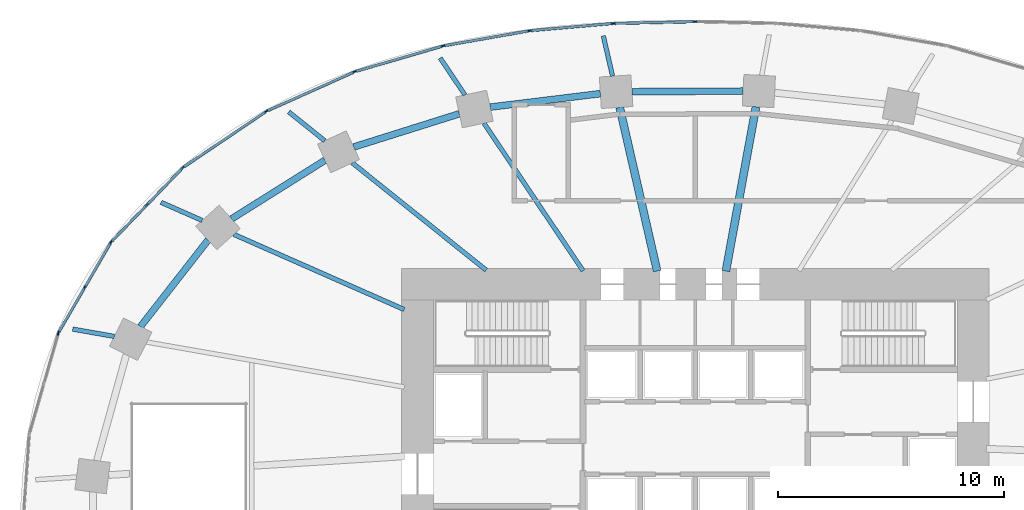
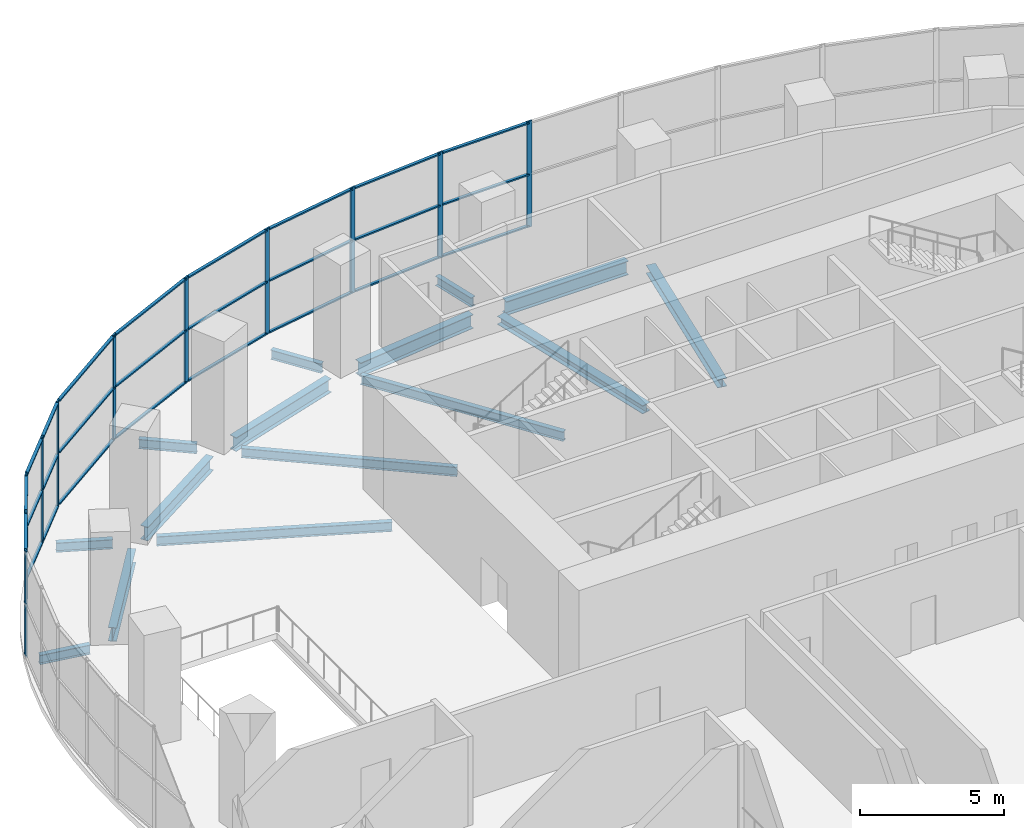
# One storey, part 7 of 17: 41 members, 15 beams, 9 elements without a shape of their own.
"""IFC4 building model written with IfcOpenShell, lengths in metres."""

import ifcopenshell
import ifcopenshell.guid

model = None  # the IFC model being written
_history = None  # IfcOwnerHistory: only IFC2X3 demands one
_inside = {}  # id of a spatial element -> (the spatial element, [elements in it])
_under = {}  # id of a project, library or spatial element -> (it, [spatial elements below it])
_declared = {}  # id of a project -> (the project, [libraries it declares])
_typed = {}  # id of a type object -> (the type object, [elements of that type])
_made_of = {}  # id of a material, layer set ... -> (it, [elements and type objects made of it])


def new_model(schema):
    """Start an empty IFC model of exactly this schema.

    Asked for "IFC4X3", IfcOpenShell would pick the latest addendum, in which some entities
    have other attributes; the version numbers below select the first issue.
    IFC2X3 requires an IfcOwnerHistory on every rooted entity: one is made here for all.
    """
    global model, _history
    if schema == "IFC4X3":
        model = ifcopenshell.file(schema_version=(4, 3, 0, 0))
    else:
        model = ifcopenshell.file(schema=schema)
    _inside.clear()
    _under.clear()
    _declared.clear()
    _typed.clear()
    _made_of.clear()
    _history = None
    if model.schema == "IFC2X3":
        org = make("IfcOrganization", Name="unknown")
        user = make(
            "IfcPersonAndOrganization",
            ThePerson=make("IfcPerson", FamilyName="unknown"),
            TheOrganization=org,
        )
        app = make(
            "IfcApplication",
            ApplicationDeveloper=org,
            Version="unknown",
            ApplicationFullName="unknown",
            ApplicationIdentifier="unknown",
        )
        _history = make(
            "IfcOwnerHistory",
            OwningUser=user,
            OwningApplication=app,
            ChangeAction="ADDED",
            CreationDate=0,
        )
    return model


def make(cls, **values):
    """One entity of the class cls with the attributes given. An attribute that is None is left unset."""
    return model.create_entity(
        cls, **{name: value for name, value in values.items() if value is not None}
    )


def rooted(cls, **values):
    """An entity with a GlobalId (a new one), such as an element, a storey or a relation."""
    return make(cls, GlobalId=ifcopenshell.guid.new(), OwnerHistory=_history, **values)


def si_unit(unit_type, name, prefix=None):
    """IfcSIUnit, for example si_unit("LENGTHUNIT", "METRE", prefix="MILLI")."""
    return make("IfcSIUnit", UnitType=unit_type, Prefix=prefix, Name=name)


def assignment(units):
    """IfcUnitAssignment: the units of a project."""
    return None if units is None else make("IfcUnitAssignment", Units=units)


def point(xyz):
    """IfcCartesianPoint."""
    return None if xyz is None else make("IfcCartesianPoint", Coordinates=xyz)


def direction(xyz):
    """IfcDirection."""
    return None if xyz is None else make("IfcDirection", DirectionRatios=xyz)


def frame(location, z_axis=None, x_axis=None):
    """IfcAxis2Placement3D, a coordinate frame: its origin and axes. An axis left out is left unset."""
    return make(
        "IfcAxis2Placement3D",
        Location=point(location),
        Axis=direction(z_axis),
        RefDirection=direction(x_axis),
    )


def frame_2d(location, x_axis=None):
    """IfcAxis2Placement2D, a coordinate frame in the plane: its origin and x axis."""
    return make(
        "IfcAxis2Placement2D", Location=point(location), RefDirection=direction(x_axis)
    )


def origin():
    """The frame at (0, 0, 0) with its axes left unset."""
    return frame((0.0, 0.0, 0.0))


def origin_2d():
    """The frame at (0, 0) in the plane with its x axis left unset."""
    return frame_2d((0.0, 0.0))


def place(relative_to, where):
    """IfcLocalPlacement: puts the frame where relative to a parent placement (None: the world)."""
    return make(
        "IfcLocalPlacement", PlacementRelTo=relative_to, RelativePlacement=where
    )


def context(
    kind, dimensions, precision=None, world=None, true_north=None, identifier=None
):
    """IfcGeometricRepresentationContext, for example the 3D "Model" context."""
    return make(
        "IfcGeometricRepresentationContext",
        ContextIdentifier=identifier,
        ContextType=kind,
        CoordinateSpaceDimension=dimensions,
        Precision=precision,
        WorldCoordinateSystem=world,
        TrueNorth=true_north,
    )


def subcontext(parent, identifier, kind, view, scale=None):
    """IfcGeometricRepresentationSubContext, for example "Body" below "Model"."""
    return make(
        "IfcGeometricRepresentationSubContext",
        ContextIdentifier=identifier,
        ContextType=kind,
        ParentContext=parent,
        TargetScale=scale,
        TargetView=view,
    )


def project(units=None, contexts=None):
    """IfcProject with its units and contexts."""
    return rooted(
        "IfcProject",
        Name="project",
        RepresentationContexts=contexts,
        UnitsInContext=assignment(units),
    )


def spatial(cls, under=None, at=None, **own):
    """A site, building, storey or space (cls), placed at a placement, below another one or the project."""
    s = rooted(cls, ObjectPlacement=at, **own)
    if under is not None:
        _under.setdefault(under.id(), (under, []))[1].append(s)
    return s


def profile(cls, at=None, kind="AREA", **sizes):
    """A parametric profile (cls). Its sizes go by their IFC names, for example OverallWidth=200.0."""
    return make(cls, ProfileType=kind, Position=at, **sizes)


def rectangle(**sizes):
    """IfcRectangleProfileDef."""
    return profile("IfcRectangleProfileDef", **sizes)


def i_section(**sizes):
    """IfcIShapeProfileDef."""
    return profile("IfcIShapeProfileDef", **sizes)


def extrude(swept, where, along, depth):
    """IfcExtrudedAreaSolid: the profile swept, set in the frame where, extruded along a direction by depth."""
    return make(
        "IfcExtrudedAreaSolid",
        SweptArea=swept,
        Position=where,
        ExtrudedDirection=direction(along),
        Depth=depth,
    )


def shape(context_of_items, identifier, shape_type, items):
    """IfcShapeRepresentation: the items that make up one representation, for example the "Body"."""
    return make(
        "IfcShapeRepresentation",
        ContextOfItems=context_of_items,
        RepresentationIdentifier=identifier,
        RepresentationType=shape_type,
        Items=items,
    )


def material(Name=None, Category=None):
    """IfcMaterial."""
    return make("IfcMaterial", Name=Name, Category=Category)


def material_profile(
    of_material, cross_section, Name=None, Category=None, Priority=None
):
    """IfcMaterialProfile: a cross section and its material."""
    return make(
        "IfcMaterialProfile",
        Name=Name,
        Material=of_material,
        Profile=cross_section,
        Priority=Priority,
        Category=Category,
    )


def profile_set(profiles, Name=None, composite=None):
    """IfcMaterialProfileSet."""
    return make(
        "IfcMaterialProfileSet",
        Name=Name,
        MaterialProfiles=profiles,
        CompositeProfile=composite,
    )


def made_of(thing, what):
    """Note that an element or type object is made of a material, layer set ...; save() writes the relation."""
    if what is not None:
        _made_of.setdefault(what.id(), (what, []))[1].append(thing)
    return thing


def type_object(cls, material=None, **own):
    """A type object (cls), such as IfcWallType, which elements share."""
    return made_of(rooted(cls, **own), material)


def element(
    cls,
    number,
    at=None,
    inside=None,
    cuts=None,
    type_object=None,
    material=None,
    context=None,
    identifier="Body",
    shape_type=None,
    held_by="IfcProductDefinitionShape",
    body=None,
    shapes=None,
    **own,
):
    """One element of the class cls, such as IfcWall. Its Tag is "e" and its number.

    at: its placement. inside: the storey or other place that contains it. cuts: it is an
    opening in that element (IfcRelVoidsElement). A single representation is given by context,
    identifier, shape_type and body (its items); several are given by shapes. held_by: the class
    of the entity that holds the representations. save() writes the other relations.
    """
    e = rooted(cls, Tag="e%d" % number, ObjectPlacement=at, **own)
    if body is not None:
        shapes = [shape(context, identifier, shape_type, body)]
    if shapes is not None:
        e.Representation = make(held_by, Representations=shapes)
    if inside is not None:
        _inside.setdefault(inside.id(), (inside, []))[1].append(e)
    if cuts is not None:
        rooted(
            "IfcRelVoidsElement", RelatingBuildingElement=cuts, RelatedOpeningElement=e
        )
    if type_object is not None:
        _typed.setdefault(type_object.id(), (type_object, []))[1].append(e)
    return made_of(e, material)


def aggregate(whole, parts):
    """IfcRelAggregates: a whole, such as a stair, and the parts it consists of."""
    return rooted("IfcRelAggregates", RelatingObject=whole, RelatedObjects=parts)


def save(model, path):
    """Write the relations noted so far, then the file.

    IfcRelAggregates (storeys below a building ...), IfcRelContainedInSpatialStructure (elements
    in a storey), IfcRelDefinesByType, IfcRelAssociatesMaterial and IfcRelDeclares: one each for
    every whole, place, type object, material and project.
    """
    for whole, parts in _under.values():
        aggregate(whole, parts)
    for where, things in _inside.values():
        rooted(
            "IfcRelContainedInSpatialStructure",
            RelatedElements=things,
            RelatingStructure=where,
        )
    for kind, things in _typed.values():
        rooted("IfcRelDefinesByType", RelatedObjects=things, RelatingType=kind)
    for what, things in _made_of.values():
        rooted("IfcRelAssociatesMaterial", RelatedObjects=things, RelatingMaterial=what)
    for by, libraries in _declared.values():
        rooted("IfcRelDeclares", RelatingContext=by, RelatedDefinitions=libraries)
    model.write(path)


model = new_model("IFC4")

# Units and contexts
model_context = context("Model", 3, precision=1e-05, world=origin(), true_north=direction((0.0, 1.0)))
body_context = subcontext(model_context, "Body", "Model", "MODEL_VIEW")
ifc_project = project(units=[si_unit("LENGTHUNIT", "METRE"), si_unit("AREAUNIT", "SQUARE_METRE"), si_unit("VOLUMEUNIT", "CUBIC_METRE"), si_unit("PLANEANGLEUNIT", "RADIAN"), si_unit("MASSUNIT", "GRAM", prefix="KILO")], contexts=[model_context])

# Site, building, storey
site_placement = place(None, origin())
site = spatial("IfcSite", under=ifc_project, at=site_placement, CompositionType="ELEMENT")
building_placement = place(site_placement, origin())
building = spatial("IfcBuilding", under=site, at=building_placement, Name="Rubra Terraces Tower", CompositionType="ELEMENT")
storey_placement = place(building_placement, frame((0.0, 0.0, 28.199951171875)))
storey = spatial("IfcBuildingStorey", under=building, at=storey_placement, Name="L04", CompositionType="ELEMENT", Elevation=28.199951171875)

# Beams
ifc_material_1 = material(Name="Steel Q355B", Category="steel")
ifc_material_profile_1 = material_profile(ifc_material_1, i_section(OverallWidth=0.199951171875, OverallDepth=0.39990234375, WebThickness=0.008056640625, FlangeThickness=0.012939453125, at=origin_2d()), Name="HN 400x200x8x13")
ifc_profile_set_1 = profile_set([ifc_material_profile_1], Name="Steel Q355B")
beam_type_1 = type_object("IfcBeamType", Name="CANTILEVER BEAM HN 400x200x8x13", PredefinedType="BEAM", material=ifc_profile_set_1)
beam_1_placement = place(storey_placement, frame((-3.6669921875, 20.514892578125, -0.449951171875), z_axis=(-0.223175715845, 0.974778231116, 0.0), x_axis=(-0.974778231116, -0.223175715845, 0.0)))
element("IfcBeam", 1, at=beam_1_placement, inside=storey, type_object=beam_type_1, Name="beam-L04-cant-07", PredefinedType="BEAM", context=body_context, shape_type="SweptSolid", body=[
    extrude(i_section(OverallWidth=0.199951171875, OverallDepth=0.39990234375, WebThickness=0.008056640625, FlangeThickness=0.012939453125, at=origin_2d()), origin(), (0.0, 0.0, 1.0), 1.832275390625),
])
beam_2_placement = place(storey_placement, frame((-10.199951171875, 19.68310546875, -0.449951171875), z_axis=(-0.557732327532, 0.830020873729, 0.0), x_axis=(-0.830020873729, -0.557732327532, 0.0)))
element("IfcBeam", 2, at=beam_2_placement, inside=storey, type_object=beam_type_1, Name="beam-L04-cant-08", PredefinedType="BEAM", context=body_context, shape_type="SweptSolid", body=[
    extrude(i_section(OverallWidth=0.199951171875, OverallDepth=0.39990234375, WebThickness=0.008056640625, FlangeThickness=0.012939453125, at=origin_2d()), origin(), (0.0, 0.0, 1.0), 1.96728515625),
])
beam_3_placement = place(storey_placement, frame((-16.408935546875, 17.654052734375, -0.449951171875), z_axis=(-0.780088162003, 0.625669608901, 0.0), x_axis=(-0.625669608901, -0.780088162003, 0.0)))
element("IfcBeam", 3, at=beam_3_placement, inside=storey, type_object=beam_type_1, Name="beam-L04-cant-09", PredefinedType="BEAM", context=body_context, shape_type="SweptSolid", body=[
    extrude(i_section(OverallWidth=0.199951171875, OverallDepth=0.39990234375, WebThickness=0.008056640625, FlangeThickness=0.012939453125, at=origin_2d()), origin(), (0.0, 0.0, 1.0), 2.0458984375),
])
beam_4_placement = place(storey_placement, frame((-21.8369140625, 14.1259765625, -0.449951171875), z_axis=(-0.914937817451, 0.403594834205, 0.0), x_axis=(-0.403594834205, -0.914937817451, 0.0)))
element("IfcBeam", 4, at=beam_4_placement, inside=storey, type_object=beam_type_1, Name="beam-L04-cant-10", PredefinedType="BEAM", context=body_context, shape_type="SweptSolid", body=[
    extrude(i_section(OverallWidth=0.199951171875, OverallDepth=0.39990234375, WebThickness=0.008056640625, FlangeThickness=0.012939453125, at=origin_2d()), origin(), (0.0, 0.0, 1.0), 1.987060546875),
])
beam_5_placement = place(storey_placement, frame((-25.722900390625, 8.991943359375, -0.449951171875), z_axis=(-0.985091859612, 0.172029149057, 0.0), x_axis=(-0.172029149057, -0.985091859612, 0.0)))
element("IfcBeam", 5, at=beam_5_placement, inside=storey, type_object=beam_type_1, Name="beam-L04-cant-11", PredefinedType="BEAM", context=body_context, shape_type="SweptSolid", body=[
    extrude(i_section(OverallWidth=0.199951171875, OverallDepth=0.39990234375, WebThickness=0.008056640625, FlangeThickness=0.012939453125, at=origin_2d()), origin(), (0.0, 0.0, 1.0), 1.871826171875),
])
ifc_material_profile_2 = material_profile(ifc_material_1, i_section(OverallWidth=0.199951171875, OverallDepth=0.39990234375, WebThickness=0.008056640625, FlangeThickness=0.012939453125, at=origin_2d()), Name="HN 400x200x8x13")
ifc_profile_set_2 = profile_set([ifc_material_profile_2], Name="Steel Q355B")
beam_type_2 = type_object("IfcBeamType", Name="FLOOR BEAM HN 400x200x8x13", PredefinedType="BEAM", material=ifc_profile_set_2)
beam_6_placement = place(storey_placement, frame((-9.360107421875, 18.43310546875, -0.449951171875), z_axis=(0.557574689395, -0.830126776912, 0.0), x_axis=(0.830126776912, 0.557574689395, 0.0)))
element("IfcBeam", 6, at=beam_6_placement, inside=storey, type_object=beam_type_2, Name="beam-L04-floor-08", PredefinedType="BEAM", context=body_context, shape_type="SweptSolid", body=[
    extrude(i_section(OverallWidth=0.199951171875, OverallDepth=0.39990234375, WebThickness=0.008056640625, FlangeThickness=0.012939453125, at=origin_2d()), origin(), (0.0, 0.0, 1.0), 7.8701171875),
])
beam_7_placement = place(storey_placement, frame((-15.18896484375, 16.676025390625, -0.449951171875), z_axis=(0.780266406942, -0.625447307291, 0.0), x_axis=(0.625447307291, 0.780266406942, 0.0)))
element("IfcBeam", 7, at=beam_7_placement, inside=storey, type_object=beam_type_2, Name="beam-L04-floor-09", PredefinedType="BEAM", context=body_context, shape_type="SweptSolid", body=[
    extrude(i_section(OverallWidth=0.199951171875, OverallDepth=0.39990234375, WebThickness=0.008056640625, FlangeThickness=0.012939453125, at=origin_2d()), origin(), (0.0, 0.0, 1.0), 7.59619140625),
])
beam_8_placement = place(storey_placement, frame((-20.43310546875, 13.508056640625, -0.449951171875), z_axis=(0.914994662209, -0.4034659442, 0.0), x_axis=(0.4034659442, 0.914994662209, 0.0)))
element("IfcBeam", 8, at=beam_8_placement, inside=storey, type_object=beam_type_2, Name="beam-L04-floor-10", PredefinedType="BEAM", context=body_context, shape_type="SweptSolid", body=[
    extrude(i_section(OverallWidth=0.199951171875, OverallDepth=0.39990234375, WebThickness=0.008056640625, FlangeThickness=0.012939453125, at=origin_2d()), origin(), (0.0, 0.0, 1.0), 8.243896484375),
])
ifc_material_profile_3 = material_profile(ifc_material_1, i_section(OverallWidth=0.35009765625, OverallDepth=0.35009765625, WebThickness=0.011962890625, FlangeThickness=0.01904296875, at=origin_2d()), Name="HW 350x350x12x19")
ifc_profile_set_3 = profile_set([ifc_material_profile_3], Name="Steel Q355B")
beam_type_3 = type_object("IfcBeamType", Name="FLOOR BEAM HW 350x350x12x19", PredefinedType="BEAM", material=ifc_profile_set_3)
beam_9_placement = place(storey_placement, frame((2.68408203125, 19.158935546875, -0.425048828125), z_axis=(-0.180186319425, -0.983632497578, 0.0), x_axis=(0.983632497578, -0.180186319425, 0.0)))
element("IfcBeam", 9, at=beam_9_placement, inside=storey, type_object=beam_type_3, Name="beam-L04-floor-06", PredefinedType="BEAM", context=body_context, shape_type="SweptSolid", body=[
    extrude(i_section(OverallWidth=0.35009765625, OverallDepth=0.35009765625, WebThickness=0.011962890625, FlangeThickness=0.01904296875, at=origin_2d()), origin(), (0.0, 0.0, 1.0), 7.39794921875),
])
beam_10_placement = place(storey_placement, frame((-3.35107421875, 19.133056640625, -0.425048828125), z_axis=(0.223209821828, -0.974770421914, 0.0), x_axis=(0.974770421914, 0.223209821828, 0.0)))
element("IfcBeam", 10, at=beam_10_placement, inside=storey, type_object=beam_type_3, Name="beam-L04-floor-07", PredefinedType="BEAM", context=body_context, shape_type="SweptSolid", body=[
    extrude(i_section(OverallWidth=0.35009765625, OverallDepth=0.35009765625, WebThickness=0.011962890625, FlangeThickness=0.01904296875, at=origin_2d()), origin(), (0.0, 0.0, 1.0), 7.437744140625),
])

# Curtain wall, member
ifc_material_2 = material(Name="Aluminium and glass", Category="aluminium")
curtain_wall_type = type_object("IfcCurtainWallType", Name="Curtain wall Podium glazing", PredefinedType="NOTDEFINED", material=ifc_material_2)
curtain_wall_1_placement = place(storey_placement, origin())
curtain_wall_1 = element("IfcCurtainWall", 11, at=curtain_wall_1_placement, inside=storey, type_object=curtain_wall_type, Name="L04 glazing bay 11", PredefinedType="NOTDEFINED")
ifc_material_3 = material(Name="Aluminium, anodised dark grey", Category="aluminium")
ifc_material_profile_4 = material_profile(ifc_material_3, rectangle(XDim=0.06005859375, YDim=0.199951171875, at=origin_2d()), Name="AL 60x200")
ifc_profile_set_4 = profile_set([ifc_material_profile_4], Name="Aluminium, anodised dark grey")
member_type_1 = type_object("IfcMemberType", Name="Podium glazing mullion 60 x 200", PredefinedType="MULLION", material=ifc_profile_set_4)
member_1_placement = place(storey_placement, frame((-0.0283203125, 22.92431640625, 0.0), z_axis=(0.0, 0.0, 1.0), x_axis=(0.021482644428, -0.999769221365, 0.0)))
member_1 = element("IfcMember", 12, at=member_1_placement, type_object=member_type_1, Name="CW1 mullion 1", PredefinedType="MULLION", context=body_context, shape_type="SweptSolid", body=[
    extrude(rectangle(XDim=0.06005859375, YDim=0.199951171875, at=origin_2d()), origin(), (0.0, 0.0, 1.0), 4.5),
])

curtain_wall_2_placement = place(storey_placement, origin())
curtain_wall_2 = element("IfcCurtainWall", 13, at=curtain_wall_2_placement, inside=storey, type_object=curtain_wall_type, Name="L04 glazing bay 12", PredefinedType="NOTDEFINED")
member_2_placement = place(storey_placement, frame((-3.6533203125, 22.8447265625, 0.0), z_axis=(0.0, 0.0, 1.0), x_axis=(0.08639804595, -0.996260697637, 0.0)))
member_2 = element("IfcMember", 14, at=member_2_placement, type_object=member_type_1, Name="CW1 mullion 1", PredefinedType="MULLION", context=body_context, shape_type="SweptSolid", body=[
    extrude(rectangle(XDim=0.06005859375, YDim=0.199951171875, at=origin_2d()), origin(), (0.0, 0.0, 1.0), 4.5),
])

curtain_wall_3_placement = place(storey_placement, origin())
curtain_wall_3 = element("IfcCurtainWall", 15, at=curtain_wall_3_placement, inside=storey, type_object=curtain_wall_type, Name="L04 glazing bay 13", PredefinedType="NOTDEFINED")
member_3_placement = place(storey_placement, frame((-7.359619140625, 22.52099609375, 0.0), z_axis=(0.0, 0.0, 1.0), x_axis=(0.172816985997, -0.984953952909, 0.0)))
member_3 = element("IfcMember", 16, at=member_3_placement, type_object=member_type_1, Name="CW1 mullion 1", PredefinedType="MULLION", context=body_context, shape_type="SweptSolid", body=[
    extrude(rectangle(XDim=0.06005859375, YDim=0.199951171875, at=origin_2d()), origin(), (0.0, 0.0, 1.0), 4.5),
])

curtain_wall_4_placement = place(storey_placement, origin())
curtain_wall_4 = element("IfcCurtainWall", 17, at=curtain_wall_4_placement, inside=storey, type_object=curtain_wall_type, Name="L04 glazing bay 14", PredefinedType="NOTDEFINED")
member_4_placement = place(storey_placement, frame((-11.180908203125, 21.84765625, 0.0), z_axis=(0.0, 0.0, 1.0), x_axis=(0.279399200229, -0.96017502931, 0.0)))
member_4 = element("IfcMember", 18, at=member_4_placement, type_object=member_type_1, Name="CW1 mullion 1", PredefinedType="MULLION", context=body_context, shape_type="SweptSolid", body=[
    extrude(rectangle(XDim=0.06005859375, YDim=0.199951171875, at=origin_2d()), origin(), (0.0, 0.0, 1.0), 4.5),
])

curtain_wall_5_placement = place(storey_placement, origin())
curtain_wall_5 = element("IfcCurtainWall", 19, at=curtain_wall_5_placement, inside=storey, type_object=curtain_wall_type, Name="L04 glazing bay 15", PredefinedType="NOTDEFINED")
member_5_placement = place(storey_placement, frame((-15.09765625, 20.704345703125, 0.0), z_axis=(0.0, 0.0, 1.0), x_axis=(0.4089624427, -0.912551215254, 0.0)))
member_5 = element("IfcMember", 20, at=member_5_placement, type_object=member_type_1, Name="CW1 mullion 1", PredefinedType="MULLION", context=body_context, shape_type="SweptSolid", body=[
    extrude(rectangle(XDim=0.06005859375, YDim=0.199951171875, at=origin_2d()), origin(), (0.0, 0.0, 1.0), 4.5),
])

curtain_wall_6_placement = place(storey_placement, origin())
curtain_wall_6 = element("IfcCurtainWall", 21, at=curtain_wall_6_placement, inside=storey, type_object=curtain_wall_type, Name="L04 glazing bay 16", PredefinedType="NOTDEFINED")
member_6_placement = place(storey_placement, frame((-19.009033203125, 18.947021484375, 0.0), z_axis=(0.0, 0.0, 1.0), x_axis=(0.55927727939, -0.828980654031, 0.0)))
member_6 = element("IfcMember", 22, at=member_6_placement, type_object=member_type_1, Name="CW1 mullion 1", PredefinedType="MULLION", context=body_context, shape_type="SweptSolid", body=[
    extrude(rectangle(XDim=0.06005859375, YDim=0.199951171875, at=origin_2d()), origin(), (0.0, 0.0, 1.0), 4.5),
])

# Curtain wall, members
curtain_wall_7_placement = place(storey_placement, origin())
curtain_wall_7 = element("IfcCurtainWall", 23, at=curtain_wall_7_placement, inside=storey, type_object=curtain_wall_type, Name="L04 glazing bay 17", PredefinedType="NOTDEFINED")
member_7_placement = place(storey_placement, frame((-22.705810546875, 16.447265625, 0.0), z_axis=(0.0, 0.0, 1.0), x_axis=(0.71982488517, -0.69415569917, 0.0)))
member_7 = element("IfcMember", 24, at=member_7_placement, type_object=member_type_1, Name="CW1 mullion 1", PredefinedType="MULLION", context=body_context, shape_type="SweptSolid", body=[
    extrude(rectangle(XDim=0.06005859375, YDim=0.199951171875, at=origin_2d()), origin(), (0.0, 0.0, 1.0), 4.5),
])
member_8_placement = place(storey_placement, frame((-24.280517578125, 14.814453125, 0.0), z_axis=(0.0, 0.0, 1.0), x_axis=(0.71982488517, -0.69415569917, 0.0)))
member_8 = element("IfcMember", 25, at=member_8_placement, type_object=member_type_1, Name="CW1 mullion 2", PredefinedType="MULLION", context=body_context, shape_type="SweptSolid", body=[
    extrude(rectangle(XDim=0.06005859375, YDim=0.199951171875, at=origin_2d()), origin(), (0.0, 0.0, 1.0), 4.5),
])

curtain_wall_8_placement = place(storey_placement, origin())
curtain_wall_8 = element("IfcCurtainWall", 26, at=curtain_wall_8_placement, inside=storey, type_object=curtain_wall_type, Name="L04 glazing bay 18", PredefinedType="NOTDEFINED")
member_9_placement = place(storey_placement, frame((-25.880126953125, 13.1484375, 0.0), z_axis=(0.0, 0.0, 1.0), x_axis=(0.864813011398, -0.502094070187, 0.0)))
member_9 = element("IfcMember", 27, at=member_9_placement, type_object=member_type_1, Name="CW1 mullion 1", PredefinedType="MULLION", context=body_context, shape_type="SweptSolid", body=[
    extrude(rectangle(XDim=0.06005859375, YDim=0.199951171875, at=origin_2d()), origin(), (0.0, 0.0, 1.0), 4.5),
])
member_10_placement = place(storey_placement, frame((-27.0341796875, 11.160888671875, 0.0), z_axis=(0.0, 0.0, 1.0), x_axis=(0.864813011398, -0.502094070187, 0.0)))
member_10 = element("IfcMember", 28, at=member_10_placement, type_object=member_type_1, Name="CW1 mullion 2", PredefinedType="MULLION", context=body_context, shape_type="SweptSolid", body=[
    extrude(rectangle(XDim=0.06005859375, YDim=0.199951171875, at=origin_2d()), origin(), (0.0, 0.0, 1.0), 4.5),
])

# Curtain wall, member
curtain_wall_9_placement = place(storey_placement, origin())
curtain_wall_9 = element("IfcCurtainWall", 29, at=curtain_wall_9_placement, inside=storey, type_object=curtain_wall_type, Name="L04 glazing bay 19", PredefinedType="NOTDEFINED")
member_11_placement = place(storey_placement, frame((-28.2041015625, 9.135498046875, 0.0), z_axis=(0.0, 0.0, 1.0), x_axis=(0.961047339404, -0.276383811798, 0.0)))
member_11 = element("IfcMember", 30, at=member_11_placement, type_object=member_type_1, Name="CW1 mullion 1", PredefinedType="MULLION", context=body_context, shape_type="SweptSolid", body=[
    extrude(rectangle(XDim=0.06005859375, YDim=0.199951171875, at=origin_2d()), origin(), (0.0, 0.0, 1.0), 4.5),
])
aggregate(curtain_wall_9, [member_11])

# Member
ifc_material_profile_5 = material_profile(ifc_material_3, rectangle(XDim=0.1201171875, YDim=0.06005859375, at=origin_2d()), Name="AL 120x60")
ifc_profile_set_5 = profile_set([ifc_material_profile_5], Name="Aluminium, anodised dark grey")
member_type_2 = type_object("IfcMemberType", Name="Podium glazing transom 120 x 60", PredefinedType="USERDEFINED", material=ifc_profile_set_5)
member_12_placement = place(storey_placement, frame((-0.058349609375, 22.923828125, 0.06005859375), z_axis=(-0.99976911273, -0.021487699509, 0.0), x_axis=(0.021487699509, -0.99976911273, 0.0)))
member_12 = element("IfcMember", 31, at=member_12_placement, type_object=member_type_2, Name="CW1 transom 1.1", ObjectType="TRANSOM", PredefinedType="USERDEFINED", context=body_context, shape_type="SweptSolid", body=[
    extrude(rectangle(XDim=0.1201171875, YDim=0.06005859375, at=origin_2d()), origin(), (0.0, 0.0, 1.0), 3.5107421875),
])

member_13_placement = place(storey_placement, frame((-0.058349609375, 22.923828125, 2.25), z_axis=(-0.99976911273, -0.021487699509, 0.0), x_axis=(0.021487699509, -0.99976911273, 0.0)))
member_13 = element("IfcMember", 32, at=member_13_placement, type_object=member_type_2, Name="CW1 transom 1.2", ObjectType="TRANSOM", PredefinedType="USERDEFINED", context=body_context, shape_type="SweptSolid", body=[
    extrude(rectangle(XDim=0.1201171875, YDim=0.06005859375, at=origin_2d()), origin(), (0.0, 0.0, 1.0), 3.5107421875),
])

member_14_placement = place(storey_placement, frame((-0.058349609375, 22.923828125, 4.43994140625), z_axis=(-0.99976911273, -0.021487699509, 0.0), x_axis=(0.021487699509, -0.99976911273, 0.0)))
member_14 = element("IfcMember", 33, at=member_14_placement, type_object=member_type_2, Name="CW1 transom 1.3", ObjectType="TRANSOM", PredefinedType="USERDEFINED", context=body_context, shape_type="SweptSolid", body=[
    extrude(rectangle(XDim=0.1201171875, YDim=0.06005859375, at=origin_2d()), origin(), (0.0, 0.0, 1.0), 3.5107421875),
])

aggregate(curtain_wall_1, [member_1, member_12, member_13, member_14])

member_15_placement = place(storey_placement, frame((-3.683349609375, 22.842041015625, 0.06005859375), z_axis=(-0.996262906738, -0.086372568895, 0.0), x_axis=(0.086372568895, -0.996262906738, 0.0)))
member_15 = element("IfcMember", 34, at=member_15_placement, type_object=member_type_2, Name="CW1 transom 1.1", ObjectType="TRANSOM", PredefinedType="USERDEFINED", context=body_context, shape_type="SweptSolid", body=[
    extrude(rectangle(XDim=0.1201171875, YDim=0.06005859375, at=origin_2d()), origin(), (0.0, 0.0, 1.0), 3.606689453125),
])

member_16_placement = place(storey_placement, frame((-3.683349609375, 22.842041015625, 2.25), z_axis=(-0.996262906738, -0.086372568895, 0.0), x_axis=(0.086372568895, -0.996262906738, 0.0)))
member_16 = element("IfcMember", 35, at=member_16_placement, type_object=member_type_2, Name="CW1 transom 1.2", ObjectType="TRANSOM", PredefinedType="USERDEFINED", context=body_context, shape_type="SweptSolid", body=[
    extrude(rectangle(XDim=0.1201171875, YDim=0.06005859375, at=origin_2d()), origin(), (0.0, 0.0, 1.0), 3.606689453125),
])

member_17_placement = place(storey_placement, frame((-3.683349609375, 22.842041015625, 4.43994140625), z_axis=(-0.996262906738, -0.086372568895, 0.0), x_axis=(0.086372568895, -0.996262906738, 0.0)))
member_17 = element("IfcMember", 36, at=member_17_placement, type_object=member_type_2, Name="CW1 transom 1.3", ObjectType="TRANSOM", PredefinedType="USERDEFINED", context=body_context, shape_type="SweptSolid", body=[
    extrude(rectangle(XDim=0.1201171875, YDim=0.06005859375, at=origin_2d()), origin(), (0.0, 0.0, 1.0), 3.606689453125),
])

aggregate(curtain_wall_2, [member_2, member_15, member_16, member_17])

member_18_placement = place(storey_placement, frame((-7.38916015625, 22.515625, 0.06005859375), z_axis=(-0.984959152546, -0.172787348539, 0.0), x_axis=(0.172787348539, -0.984959152546, 0.0)))
member_18 = element("IfcMember", 37, at=member_18_placement, type_object=member_type_2, Name="CW1 transom 1.1", ObjectType="TRANSOM", PredefinedType="USERDEFINED", context=body_context, shape_type="SweptSolid", body=[
    extrude(rectangle(XDim=0.1201171875, YDim=0.06005859375, at=origin_2d()), origin(), (0.0, 0.0, 1.0), 3.768310546875),
])

member_19_placement = place(storey_placement, frame((-7.38916015625, 22.515625, 2.25), z_axis=(-0.984959152546, -0.172787348539, 0.0), x_axis=(0.172787348539, -0.984959152546, 0.0)))
member_19 = element("IfcMember", 38, at=member_19_placement, type_object=member_type_2, Name="CW1 transom 1.2", ObjectType="TRANSOM", PredefinedType="USERDEFINED", context=body_context, shape_type="SweptSolid", body=[
    extrude(rectangle(XDim=0.1201171875, YDim=0.06005859375, at=origin_2d()), origin(), (0.0, 0.0, 1.0), 3.768310546875),
])

member_20_placement = place(storey_placement, frame((-7.38916015625, 22.515625, 4.43994140625), z_axis=(-0.984959152546, -0.172787348539, 0.0), x_axis=(0.172787348539, -0.984959152546, 0.0)))
member_20 = element("IfcMember", 39, at=member_20_placement, type_object=member_type_2, Name="CW1 transom 1.3", ObjectType="TRANSOM", PredefinedType="USERDEFINED", context=body_context, shape_type="SweptSolid", body=[
    extrude(rectangle(XDim=0.1201171875, YDim=0.06005859375, at=origin_2d()), origin(), (0.0, 0.0, 1.0), 3.768310546875),
])

aggregate(curtain_wall_3, [member_3, member_18, member_19, member_20])

member_21_placement = place(storey_placement, frame((-11.209716796875, 21.83935546875, 0.06005859375), z_axis=(-0.960164409194, -0.279435694422, 0.0), x_axis=(0.279435694422, -0.960164409194, 0.0)))
member_21 = element("IfcMember", 40, at=member_21_placement, type_object=member_type_2, Name="CW1 transom 1.1", ObjectType="TRANSOM", PredefinedType="USERDEFINED", context=body_context, shape_type="SweptSolid", body=[
    extrude(rectangle(XDim=0.1201171875, YDim=0.06005859375, at=origin_2d()), origin(), (0.0, 0.0, 1.0), 3.970947265625),
])

member_22_placement = place(storey_placement, frame((-11.209716796875, 21.83935546875, 2.25), z_axis=(-0.960164409194, -0.279435694422, 0.0), x_axis=(0.279435694422, -0.960164409194, 0.0)))
member_22 = element("IfcMember", 41, at=member_22_placement, type_object=member_type_2, Name="CW1 transom 1.2", ObjectType="TRANSOM", PredefinedType="USERDEFINED", context=body_context, shape_type="SweptSolid", body=[
    extrude(rectangle(XDim=0.1201171875, YDim=0.06005859375, at=origin_2d()), origin(), (0.0, 0.0, 1.0), 3.970947265625),
])

member_23_placement = place(storey_placement, frame((-11.209716796875, 21.83935546875, 4.43994140625), z_axis=(-0.960164409194, -0.279435694422, 0.0), x_axis=(0.279435694422, -0.960164409194, 0.0)))
member_23 = element("IfcMember", 42, at=member_23_placement, type_object=member_type_2, Name="CW1 transom 1.3", ObjectType="TRANSOM", PredefinedType="USERDEFINED", context=body_context, shape_type="SweptSolid", body=[
    extrude(rectangle(XDim=0.1201171875, YDim=0.06005859375, at=origin_2d()), origin(), (0.0, 0.0, 1.0), 3.970947265625),
])

aggregate(curtain_wall_4, [member_4, member_21, member_22, member_23])

member_24_placement = place(storey_placement, frame((-15.125, 20.692138671875, 0.06005859375), z_axis=(-0.912545396627, -0.408975426029, 0.0), x_axis=(0.408975426029, -0.912545396627, 0.0)))
member_24 = element("IfcMember", 43, at=member_24_placement, type_object=member_type_2, Name="CW1 transom 1.1", ObjectType="TRANSOM", PredefinedType="USERDEFINED", context=body_context, shape_type="SweptSolid", body=[
    extrude(rectangle(XDim=0.1201171875, YDim=0.06005859375, at=origin_2d()), origin(), (0.0, 0.0, 1.0), 4.18115234375),
])

member_25_placement = place(storey_placement, frame((-15.125, 20.692138671875, 2.25), z_axis=(-0.912545396627, -0.408975426029, 0.0), x_axis=(0.408975426029, -0.912545396627, 0.0)))
member_25 = element("IfcMember", 44, at=member_25_placement, type_object=member_type_2, Name="CW1 transom 1.2", ObjectType="TRANSOM", PredefinedType="USERDEFINED", context=body_context, shape_type="SweptSolid", body=[
    extrude(rectangle(XDim=0.1201171875, YDim=0.06005859375, at=origin_2d()), origin(), (0.0, 0.0, 1.0), 4.18115234375),
])

member_26_placement = place(storey_placement, frame((-15.125, 20.692138671875, 4.43994140625), z_axis=(-0.912545396627, -0.408975426029, 0.0), x_axis=(0.408975426029, -0.912545396627, 0.0)))
member_26 = element("IfcMember", 45, at=member_26_placement, type_object=member_type_2, Name="CW1 transom 1.3", ObjectType="TRANSOM", PredefinedType="USERDEFINED", context=body_context, shape_type="SweptSolid", body=[
    extrude(rectangle(XDim=0.1201171875, YDim=0.06005859375, at=origin_2d()), origin(), (0.0, 0.0, 1.0), 4.18115234375),
])

aggregate(curtain_wall_5, [member_5, member_24, member_25, member_26])

member_27_placement = place(storey_placement, frame((-19.033935546875, 18.93017578125, 0.06005859375), z_axis=(-0.828996039897, -0.559254473236, 0.0), x_axis=(0.559254473236, -0.828996039897, 0.0)))
member_27 = element("IfcMember", 46, at=member_27_placement, type_object=member_type_2, Name="CW1 transom 1.1", ObjectType="TRANSOM", PredefinedType="USERDEFINED", context=body_context, shape_type="SweptSolid", body=[
    extrude(rectangle(XDim=0.1201171875, YDim=0.06005859375, at=origin_2d()), origin(), (0.0, 0.0, 1.0), 4.35888671875),
])

member_28_placement = place(storey_placement, frame((-19.033935546875, 18.93017578125, 2.25), z_axis=(-0.828996039897, -0.559254473236, 0.0), x_axis=(0.559254473236, -0.828996039897, 0.0)))
member_28 = element("IfcMember", 47, at=member_28_placement, type_object=member_type_2, Name="CW1 transom 1.2", ObjectType="TRANSOM", PredefinedType="USERDEFINED", context=body_context, shape_type="SweptSolid", body=[
    extrude(rectangle(XDim=0.1201171875, YDim=0.06005859375, at=origin_2d()), origin(), (0.0, 0.0, 1.0), 4.35888671875),
])

member_29_placement = place(storey_placement, frame((-19.033935546875, 18.93017578125, 4.43994140625), z_axis=(-0.828996039897, -0.559254473236, 0.0), x_axis=(0.559254473236, -0.828996039897, 0.0)))
member_29 = element("IfcMember", 48, at=member_29_placement, type_object=member_type_2, Name="CW1 transom 1.3", ObjectType="TRANSOM", PredefinedType="USERDEFINED", context=body_context, shape_type="SweptSolid", body=[
    extrude(rectangle(XDim=0.1201171875, YDim=0.06005859375, at=origin_2d()), origin(), (0.0, 0.0, 1.0), 4.35888671875),
])

aggregate(curtain_wall_6, [member_6, member_27, member_28, member_29])

member_30_placement = place(storey_placement, frame((-22.7265625, 16.42578125, 0.06005859375), z_axis=(-0.694168299732, -0.719812733735, 0.0), x_axis=(0.719812733735, -0.694168299732, 0.0)))
member_30 = element("IfcMember", 49, at=member_30_placement, type_object=member_type_2, Name="CW1 transom 1.1", ObjectType="TRANSOM", PredefinedType="USERDEFINED", context=body_context, shape_type="SweptSolid", body=[
    extrude(rectangle(XDim=0.1201171875, YDim=0.06005859375, at=origin_2d()), origin(), (0.0, 0.0, 1.0), 2.208740234375),
])

member_31_placement = place(storey_placement, frame((-22.7265625, 16.42578125, 2.25), z_axis=(-0.694168299732, -0.719812733735, 0.0), x_axis=(0.719812733735, -0.694168299732, 0.0)))
member_31 = element("IfcMember", 50, at=member_31_placement, type_object=member_type_2, Name="CW1 transom 1.2", ObjectType="TRANSOM", PredefinedType="USERDEFINED", context=body_context, shape_type="SweptSolid", body=[
    extrude(rectangle(XDim=0.1201171875, YDim=0.06005859375, at=origin_2d()), origin(), (0.0, 0.0, 1.0), 2.208740234375),
])

member_32_placement = place(storey_placement, frame((-22.7265625, 16.42578125, 4.43994140625), z_axis=(-0.694168299732, -0.719812733735, 0.0), x_axis=(0.719812733735, -0.694168299732, 0.0)))
member_32 = element("IfcMember", 51, at=member_32_placement, type_object=member_type_2, Name="CW1 transom 1.3", ObjectType="TRANSOM", PredefinedType="USERDEFINED", context=body_context, shape_type="SweptSolid", body=[
    extrude(rectangle(XDim=0.1201171875, YDim=0.06005859375, at=origin_2d()), origin(), (0.0, 0.0, 1.0), 2.208740234375),
])

member_33_placement = place(storey_placement, frame((-24.30126953125, 14.792724609375, 0.06005859375), z_axis=(-0.694223533913, -0.719759463266, 0.0), x_axis=(0.719759463266, -0.694223533913, 0.0)))
member_33 = element("IfcMember", 52, at=member_33_placement, type_object=member_type_2, Name="CW1 transom 2.1", ObjectType="TRANSOM", PredefinedType="USERDEFINED", context=body_context, shape_type="SweptSolid", body=[
    extrude(rectangle(XDim=0.1201171875, YDim=0.06005859375, at=origin_2d()), origin(), (0.0, 0.0, 1.0), 2.20849609375),
])

member_34_placement = place(storey_placement, frame((-24.30126953125, 14.792724609375, 2.25), z_axis=(-0.694223533913, -0.719759463266, 0.0), x_axis=(0.719759463266, -0.694223533913, 0.0)))
member_34 = element("IfcMember", 53, at=member_34_placement, type_object=member_type_2, Name="CW1 transom 2.2", ObjectType="TRANSOM", PredefinedType="USERDEFINED", context=body_context, shape_type="SweptSolid", body=[
    extrude(rectangle(XDim=0.1201171875, YDim=0.06005859375, at=origin_2d()), origin(), (0.0, 0.0, 1.0), 2.20849609375),
])

member_35_placement = place(storey_placement, frame((-24.30126953125, 14.792724609375, 4.43994140625), z_axis=(-0.694223533913, -0.719759463266, 0.0), x_axis=(0.719759463266, -0.694223533913, 0.0)))
member_35 = element("IfcMember", 54, at=member_35_placement, type_object=member_type_2, Name="CW1 transom 2.3", ObjectType="TRANSOM", PredefinedType="USERDEFINED", context=body_context, shape_type="SweptSolid", body=[
    extrude(rectangle(XDim=0.1201171875, YDim=0.06005859375, at=origin_2d()), origin(), (0.0, 0.0, 1.0), 2.20849609375),
])

aggregate(curtain_wall_7, [member_7, member_8, member_30, member_31, member_32, member_33, member_34, member_35])

member_36_placement = place(storey_placement, frame((-25.895263671875, 13.122314453125, 0.06005859375), z_axis=(-0.502106569931, -0.864805754162, 0.0), x_axis=(0.864805754162, -0.502106569931, 0.0)))
member_36 = element("IfcMember", 55, at=member_36_placement, type_object=member_type_2, Name="CW1 transom 1.1", ObjectType="TRANSOM", PredefinedType="USERDEFINED", context=body_context, shape_type="SweptSolid", body=[
    extrude(rectangle(XDim=0.1201171875, YDim=0.06005859375, at=origin_2d()), origin(), (0.0, 0.0, 1.0), 2.238037109375),
])

member_37_placement = place(storey_placement, frame((-25.895263671875, 13.122314453125, 2.25), z_axis=(-0.502106569931, -0.864805754162, 0.0), x_axis=(0.864805754162, -0.502106569931, 0.0)))
member_37 = element("IfcMember", 56, at=member_37_placement, type_object=member_type_2, Name="CW1 transom 1.2", ObjectType="TRANSOM", PredefinedType="USERDEFINED", context=body_context, shape_type="SweptSolid", body=[
    extrude(rectangle(XDim=0.1201171875, YDim=0.06005859375, at=origin_2d()), origin(), (0.0, 0.0, 1.0), 2.238037109375),
])

member_38_placement = place(storey_placement, frame((-25.895263671875, 13.122314453125, 4.43994140625), z_axis=(-0.502106569931, -0.864805754162, 0.0), x_axis=(0.864805754162, -0.502106569931, 0.0)))
member_38 = element("IfcMember", 57, at=member_38_placement, type_object=member_type_2, Name="CW1 transom 1.3", ObjectType="TRANSOM", PredefinedType="USERDEFINED", context=body_context, shape_type="SweptSolid", body=[
    extrude(rectangle(XDim=0.1201171875, YDim=0.06005859375, at=origin_2d()), origin(), (0.0, 0.0, 1.0), 2.238037109375),
])

member_39_placement = place(storey_placement, frame((-27.049072265625, 11.134765625, 0.06005859375), z_axis=(-0.5021881448, -0.864758386616, 0.0), x_axis=(0.864758386616, -0.5021881448, 0.0)))
member_39 = element("IfcMember", 58, at=member_39_placement, type_object=member_type_2, Name="CW1 transom 2.1", ObjectType="TRANSOM", PredefinedType="USERDEFINED", context=body_context, shape_type="SweptSolid", body=[
    extrude(rectangle(XDim=0.1201171875, YDim=0.06005859375, at=origin_2d()), origin(), (0.0, 0.0, 1.0), 2.23828125),
])

member_40_placement = place(storey_placement, frame((-27.049072265625, 11.134765625, 2.25), z_axis=(-0.5021881448, -0.864758386616, 0.0), x_axis=(0.864758386616, -0.5021881448, 0.0)))
member_40 = element("IfcMember", 59, at=member_40_placement, type_object=member_type_2, Name="CW1 transom 2.2", ObjectType="TRANSOM", PredefinedType="USERDEFINED", context=body_context, shape_type="SweptSolid", body=[
    extrude(rectangle(XDim=0.1201171875, YDim=0.06005859375, at=origin_2d()), origin(), (0.0, 0.0, 1.0), 2.23828125),
])

member_41_placement = place(storey_placement, frame((-27.049072265625, 11.134765625, 4.43994140625), z_axis=(-0.5021881448, -0.864758386616, 0.0), x_axis=(0.864758386616, -0.5021881448, 0.0)))
member_41 = element("IfcMember", 60, at=member_41_placement, type_object=member_type_2, Name="CW1 transom 2.3", ObjectType="TRANSOM", PredefinedType="USERDEFINED", context=body_context, shape_type="SweptSolid", body=[
    extrude(rectangle(XDim=0.1201171875, YDim=0.06005859375, at=origin_2d()), origin(), (0.0, 0.0, 1.0), 2.23828125),
])

aggregate(curtain_wall_8, [member_9, member_10, member_36, member_37, member_38, member_39, member_40, member_41])

# Beams
ifc_material_profile_6 = material_profile(ifc_material_1, i_section(OverallWidth=0.300048828125, OverallDepth=0.587890625, WebThickness=0.011962890625, FlangeThickness=0.02001953125, at=origin_2d()), Name="HM 588x300x12x20")
ifc_profile_set_6 = profile_set([ifc_material_profile_6], Name="Steel Q355B")
beam_type_4 = type_object("IfcBeamType", Name="SPANDREL BEAM HM 588x300x12x20", PredefinedType="SPANDREL", material=ifc_profile_set_6)
beam_11_placement = place(storey_placement, frame((2.110107421875, 19.85107421875, -0.5439453125), z_axis=(-0.999987924698, -0.004914311469, 0.0), x_axis=(0.004914311469, -0.999987924698, 0.0)))
element("IfcBeam", 61, at=beam_11_placement, inside=storey, type_object=beam_type_4, Name="beam-L04-spandrel-06", PredefinedType="SPANDREL", context=body_context, shape_type="SweptSolid", body=[
    extrude(i_section(OverallWidth=0.300048828125, OverallDepth=0.587890625, WebThickness=0.011962890625, FlangeThickness=0.02001953125, at=origin_2d()), origin(), (0.0, 0.0, 1.0), 4.918212890625),
])
beam_12_placement = place(storey_placement, frame((-4.205078125, 19.739013671875, -0.5439453125), z_axis=(-0.992616576014, -0.12129440639, 0.0), x_axis=(0.12129440639, -0.992616576014, 0.0)))
element("IfcBeam", 62, at=beam_12_placement, inside=storey, type_object=beam_type_4, Name="beam-L04-spandrel-07", PredefinedType="SPANDREL", context=body_context, shape_type="SweptSolid", body=[
    extrude(i_section(OverallWidth=0.300048828125, OverallDepth=0.587890625, WebThickness=0.011962890625, FlangeThickness=0.02001953125, at=origin_2d()), origin(), (0.0, 0.0, 1.0), 4.913330078125),
])
beam_13_placement = place(storey_placement, frame((-10.450927734375, 18.846923828125, -0.5439453125), z_axis=(-0.953954624663, -0.299950952796, 0.0), x_axis=(0.299950952796, -0.953954624663, 0.0)))
element("IfcBeam", 63, at=beam_13_placement, inside=storey, type_object=beam_type_4, Name="beam-L04-spandrel-08", PredefinedType="SPANDREL", context=body_context, shape_type="SweptSolid", body=[
    extrude(i_section(OverallWidth=0.300048828125, OverallDepth=0.587890625, WebThickness=0.011962890625, FlangeThickness=0.02001953125, at=origin_2d()), origin(), (0.0, 0.0, 1.0), 4.900634765625),
])
beam_14_placement = place(storey_placement, frame((-16.39697265625, 16.7900390625, -0.5439453125), z_axis=(-0.847078460197, -0.531467856291, 0.0), x_axis=(0.531467856291, -0.847078460197, 0.0)))
element("IfcBeam", 64, at=beam_14_placement, inside=storey, type_object=beam_type_4, Name="beam-L04-spandrel-09", PredefinedType="SPANDREL", context=body_context, shape_type="SweptSolid", body=[
    extrude(i_section(OverallWidth=0.300048828125, OverallDepth=0.587890625, WebThickness=0.011962890625, FlangeThickness=0.02001953125, at=origin_2d()), origin(), (0.0, 0.0, 1.0), 4.882568359375),
])
beam_15_placement = place(storey_placement, frame((-21.572998046875, 13.257080078125, -0.5439453125), z_axis=(-0.615577734286, -0.788076172112, 0.0), x_axis=(0.788076172112, -0.615577734286, 0.0)))
element("IfcBeam", 65, at=beam_15_placement, inside=storey, type_object=beam_type_4, Name="beam-L04-spandrel-10", PredefinedType="SPANDREL", context=body_context, shape_type="SweptSolid", body=[
    extrude(i_section(OverallWidth=0.300048828125, OverallDepth=0.587890625, WebThickness=0.011962890625, FlangeThickness=0.02001953125, at=origin_2d()), origin(), (0.0, 0.0, 1.0), 4.85888671875),
])

save(model, "model.ifc")
